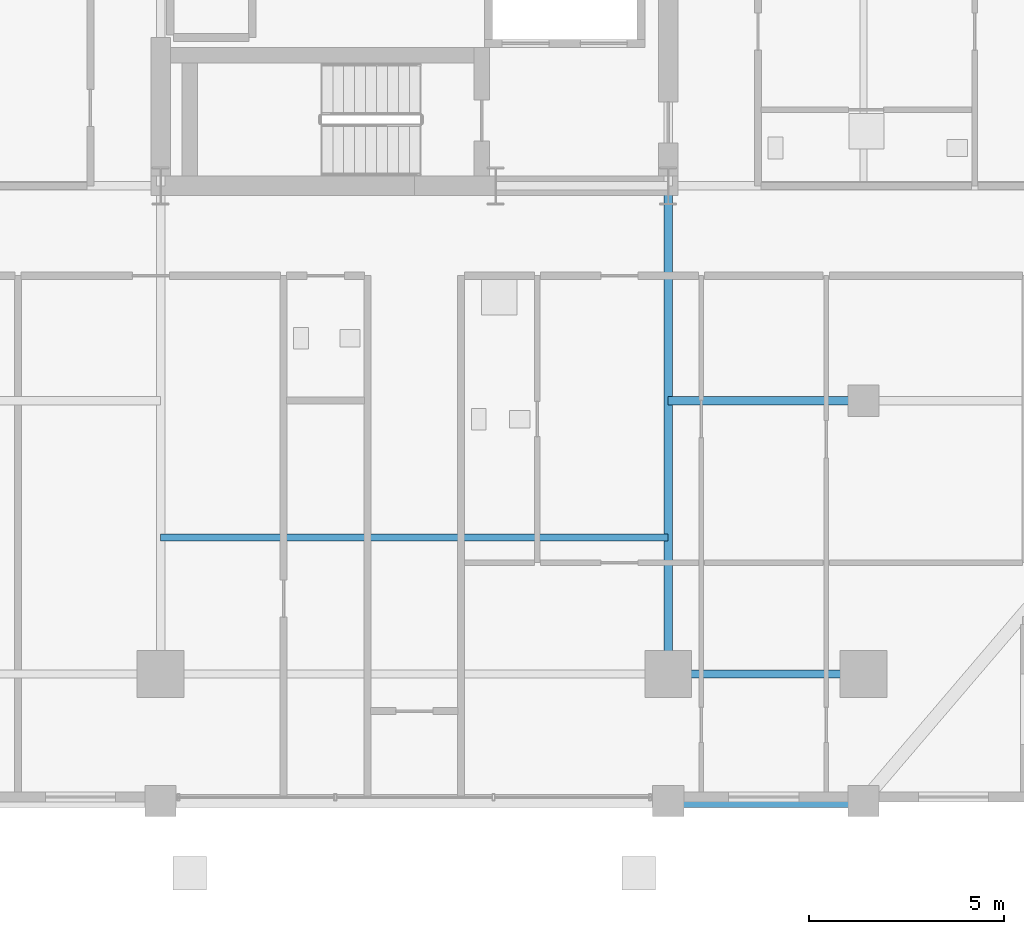
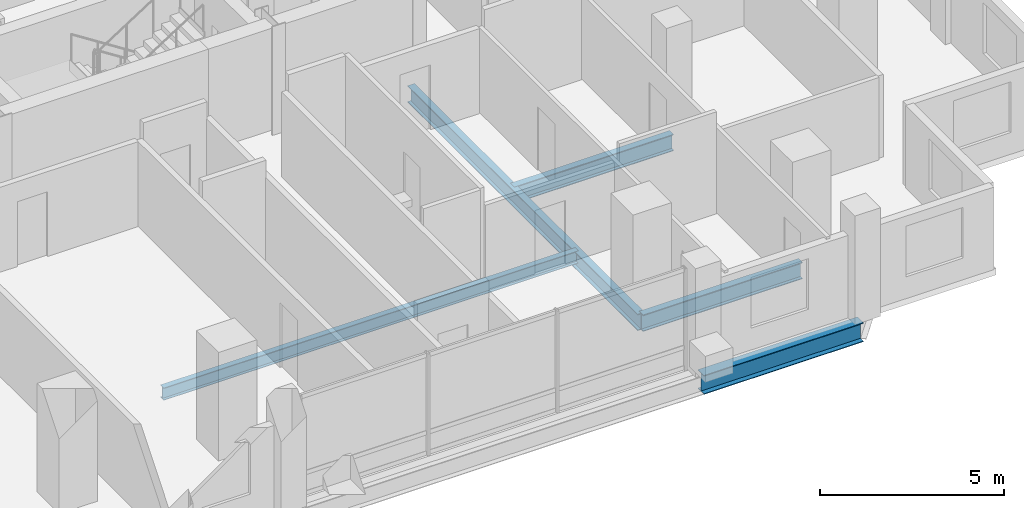
# One storey, part 3 of 20: 5 beams.
"""IFC4 building model written with IfcOpenShell, lengths in metres."""

from ifc_helpers import new_model, si_unit, direction, frame, origin, origin_2d, place, context, subcontext, project, spatial, i_section, extrude, material, material_profile, profile_set, type_object, element, save


model = new_model("IFC4")

# Units and contexts
model_context = context("Model", 3, precision=1e-05, world=origin(), true_north=direction((0.0, 1.0)))
body_context = subcontext(model_context, "Body", "Model", "MODEL_VIEW")
ifc_project = project(units=[si_unit("LENGTHUNIT", "METRE"), si_unit("AREAUNIT", "SQUARE_METRE"), si_unit("VOLUMEUNIT", "CUBIC_METRE"), si_unit("PLANEANGLEUNIT", "RADIAN"), si_unit("MASSUNIT", "GRAM", prefix="KILO")], contexts=[model_context])

# Site, building, storey
site_placement = place(None, origin())
site = spatial("IfcSite", under=ifc_project, at=site_placement, CompositionType="ELEMENT")
building_placement = place(site_placement, origin())
building = spatial("IfcBuilding", under=site, at=building_placement, Name="Barlavira Tower and Art Museum", CompositionType="ELEMENT")
storey_placement = place(building_placement, frame((0.0, 0.0, 147.60009765625)))
storey = spatial("IfcBuildingStorey", under=building, at=storey_placement, Name="L37", CompositionType="ELEMENT", Elevation=147.60009765625)

# Beams
ifc_material = material(Name="Steel S355", Category="steel")
ifc_material_profile_1 = material_profile(ifc_material, i_section(OverallWidth=0.327880859375, OverallDepth=0.62890625, WebThickness=0.013916015625, FlangeThickness=0.021484375, at=origin_2d()), Name="W610x174.0")
ifc_profile_set_1 = profile_set([ifc_material_profile_1], Name="Steel S355")
beam_type_1 = type_object("IfcBeamType", Name="Perimeter Spandrel Edge Beam W610x174 Steel S355", PredefinedType="SPANDREL", material=ifc_profile_set_1)
beam_1_placement = place(storey_placement, frame((6.5, -23.25, -0.53466796875), z_axis=(1.0, 0.0, 0.0), x_axis=(0.0, 1.0, 0.0)))
element("IfcBeam", 1, at=beam_1_placement, inside=storey, type_object=beam_type_1, Name="L37 Spandrel 3", PredefinedType="SPANDREL", context=body_context, shape_type="SweptSolid", body=[
    extrude(i_section(OverallWidth=0.327880859375, OverallDepth=0.62890625, WebThickness=0.013916015625, FlangeThickness=0.021484375, at=origin_2d()), origin(), (0.0, 0.0, 1.0), 5.0),
])
ifc_material_profile_2 = material_profile(ifc_material, i_section(OverallWidth=0.214111328125, OverallDepth=0.549072265625, WebThickness=0.0146484375, FlangeThickness=0.023681640625, at=origin_2d()), Name="W530x138.0")
ifc_profile_set_2 = profile_set([ifc_material_profile_2], Name="Steel S355")
beam_type_2 = type_object("IfcBeamType", Name="Zone 1 Primary Floor Girder W530x138 Steel S355", PredefinedType="BEAM", material=ifc_profile_set_2)
beam_2_placement = place(storey_placement, frame((6.5, -20.0, -0.49462890625), z_axis=(1.0, 0.0, 0.0), x_axis=(0.0, 1.0, 0.0)))
element("IfcBeam", 2, at=beam_2_placement, inside=storey, type_object=beam_type_2, Name="L37 Girder M-S3", PredefinedType="BEAM", context=body_context, shape_type="SweptSolid", body=[
    extrude(i_section(OverallWidth=0.214111328125, OverallDepth=0.549072265625, WebThickness=0.0146484375, FlangeThickness=0.023681640625, at=origin_2d()), origin(), (0.0, 0.0, 1.0), 5.0),
])
beam_3_placement = place(storey_placement, frame((6.5, -20.0, -0.49462890625), z_axis=(0.0, 1.0, 0.0), x_axis=(-1.0, 0.0, 0.0)))
element("IfcBeam", 3, at=beam_3_placement, inside=storey, type_object=beam_type_2, Name="L37 Girder R-S2", PredefinedType="BEAM", context=body_context, shape_type="SweptSolid", body=[
    extrude(i_section(OverallWidth=0.214111328125, OverallDepth=0.549072265625, WebThickness=0.0146484375, FlangeThickness=0.023681640625, at=origin_2d()), origin(), (0.0, 0.0, 1.0), 12.5),
])
beam_4_placement = place(storey_placement, frame((6.5, -13.0, -0.49462890625), z_axis=(1.0, 0.0, 0.0), x_axis=(0.0, 1.0, 0.0)))
element("IfcBeam", 4, at=beam_4_placement, inside=storey, type_object=beam_type_2, Name="L37 Girder I-S3", PredefinedType="BEAM", context=body_context, shape_type="SweptSolid", body=[
    extrude(i_section(OverallWidth=0.214111328125, OverallDepth=0.549072265625, WebThickness=0.0146484375, FlangeThickness=0.023681640625, at=origin_2d()), origin(), (0.0, 0.0, 1.0), 5.0),
])
ifc_material_profile_3 = material_profile(ifc_material, i_section(OverallWidth=0.179931640625, OverallDepth=0.4130859375, WebThickness=0.009765625, FlangeThickness=0.01611328125, at=origin_2d()), Name="W410x75.0")
ifc_profile_set_3 = profile_set([ifc_material_profile_3], Name="Steel S355")
beam_type_3 = type_object("IfcBeamType", Name="Zone 2 Composite Floor Joist W410x75 Steel S355", PredefinedType="JOIST", material=ifc_profile_set_3)
beam_5_placement = place(storey_placement, frame((-6.5, -16.5, -0.426513671875), z_axis=(1.0, 0.0, 0.0), x_axis=(0.0, 1.0, 0.0)))
element("IfcBeam", 5, at=beam_5_placement, inside=storey, type_object=beam_type_3, Name="L37 Joist C1", PredefinedType="JOIST", context=body_context, shape_type="SweptSolid", body=[
    extrude(i_section(OverallWidth=0.179931640625, OverallDepth=0.4130859375, WebThickness=0.009765625, FlangeThickness=0.01611328125, at=origin_2d()), origin(), (0.0, 0.0, 1.0), 13.0),
])

save(model, "model.ifc")
